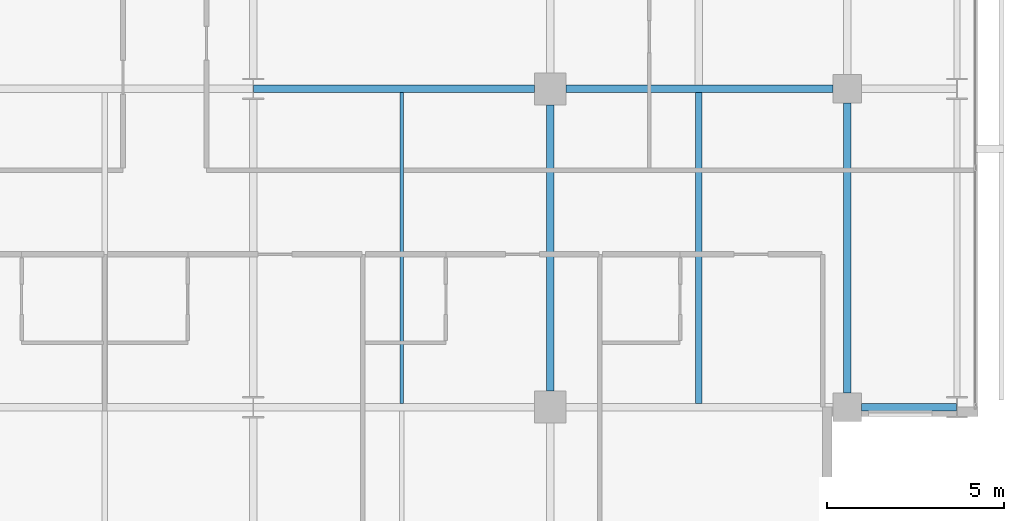
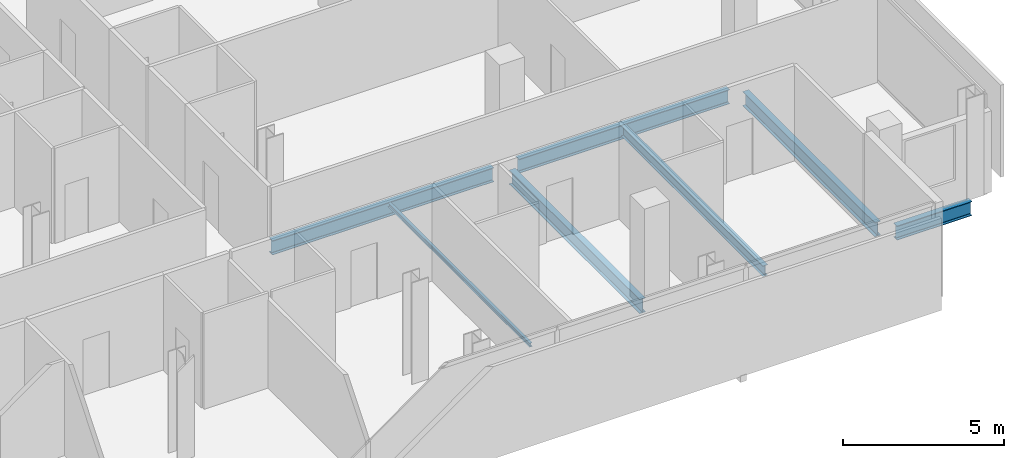
# One storey, part 14 of 33: 7 beams.
"""IFC4 building model written with IfcOpenShell, lengths in metres."""

from ifc_helpers import new_model, si_unit, direction, frame, origin, origin_2d, place, context, subcontext, project, spatial, i_section, extrude, material, material_profile, profile_set, type_object, element, save


model = new_model("IFC4")

# Units and contexts
model_context = context("Model", 3, precision=1e-05, world=origin(), true_north=direction((0.0, 1.0)))
body_context = subcontext(model_context, "Body", "Model", "MODEL_VIEW")
ifc_project = project(units=[si_unit("LENGTHUNIT", "METRE"), si_unit("AREAUNIT", "SQUARE_METRE"), si_unit("VOLUMEUNIT", "CUBIC_METRE"), si_unit("PLANEANGLEUNIT", "RADIAN"), si_unit("MASSUNIT", "GRAM", prefix="KILO")], contexts=[model_context])

# Site, building, storey
site_placement = place(None, origin())
site = spatial("IfcSite", under=ifc_project, at=site_placement, CompositionType="ELEMENT")
building_placement = place(site_placement, origin())
building = spatial("IfcBuilding", under=site, at=building_placement, Name="Maruvema Waterfront Hotel and Observation Tower", CompositionType="ELEMENT")
storey_placement = place(building_placement, frame((0.0, 0.0, 200.550048828125)))
storey = spatial("IfcBuildingStorey", under=building, at=storey_placement, Name="L49", CompositionType="ELEMENT", Elevation=200.550048828125)

# Beams
ifc_material_1 = material(Name="Steel ASTM A572 Grade 50", Category="steel")
ifc_material_profile_1 = material_profile(ifc_material_1, i_section(OverallWidth=0.2109375, OverallDepth=0.5390625, WebThickness=0.01171875, FlangeThickness=0.018798828125, FilletRadius=0.014892578125, at=origin_2d()), Name="W530x109.0")
ifc_profile_set_1 = profile_set([ifc_material_profile_1], Name="Steel ASTM A572 Grade 50")
beam_type_1 = type_object("IfcBeamType", Name="Primary Floor Girder W530x109.0", PredefinedType="BEAM", material=ifc_profile_set_1)
beam_1_placement = place(storey_placement, frame((59.199951171875, 9.0, -0.509521484375), z_axis=(1.0, 0.0, 0.0), x_axis=(0.0, 1.0, 0.0)))
element("IfcBeam", 1, at=beam_1_placement, inside=storey, type_object=beam_type_1, Name="L49 Floor Girder EW-10", PredefinedType="BEAM", context=body_context, shape_type="SweptSolid", body=[
    extrude(i_section(OverallWidth=0.2109375, OverallDepth=0.5390625, WebThickness=0.01171875, FlangeThickness=0.018798828125, FilletRadius=0.014892578125, at=origin_2d()), origin(), (0.0, 0.0, 1.0), 2.6875),
])
beam_2_placement = place(storey_placement, frame((42.012451171875, 18.0, -0.509521484375), z_axis=(1.0, 0.0, 0.0), x_axis=(0.0, 1.0, 0.0)))
element("IfcBeam", 2, at=beam_2_placement, inside=storey, type_object=beam_type_1, Name="L49 Floor Girder EW-15", PredefinedType="BEAM", context=body_context, shape_type="SweptSolid", body=[
    extrude(i_section(OverallWidth=0.2109375, OverallDepth=0.5390625, WebThickness=0.01171875, FlangeThickness=0.018798828125, FilletRadius=0.014892578125, at=origin_2d()), origin(), (0.0, 0.0, 1.0), 7.9375),
])
beam_3_placement = place(storey_placement, frame((50.85009765625, 18.0, -0.509521484375), z_axis=(1.0, 0.0, 0.0), x_axis=(0.0, 1.0, 0.0)))
element("IfcBeam", 3, at=beam_3_placement, inside=storey, type_object=beam_type_1, Name="L49 Floor Girder EW-16", PredefinedType="BEAM", context=body_context, shape_type="SweptSolid", body=[
    extrude(i_section(OverallWidth=0.2109375, OverallDepth=0.5390625, WebThickness=0.01171875, FlangeThickness=0.018798828125, FilletRadius=0.014892578125, at=origin_2d()), origin(), (0.0, 0.0, 1.0), 7.5498046875),
])
beam_4_placement = place(storey_placement, frame((50.39990234375, 9.449951171875, -0.509521484375), z_axis=(0.0, 1.0, 0.0), x_axis=(-1.0, 0.0, 0.0)))
element("IfcBeam", 4, at=beam_4_placement, inside=storey, type_object=beam_type_1, Name="L49 Floor Girder NS-21", PredefinedType="BEAM", context=body_context, shape_type="SweptSolid", body=[
    extrude(i_section(OverallWidth=0.2109375, OverallDepth=0.5390625, WebThickness=0.01171875, FlangeThickness=0.018798828125, FilletRadius=0.014892578125, at=origin_2d()), origin(), (0.0, 0.0, 1.0), 8.10009765625),
])
beam_5_placement = place(storey_placement, frame((58.800048828125, 9.39990234375, -0.509521484375), z_axis=(0.0, 1.0, 0.0), x_axis=(-1.0, 0.0, 0.0)))
element("IfcBeam", 5, at=beam_5_placement, inside=storey, type_object=beam_type_1, Name="L49 Floor Girder NS-25", PredefinedType="BEAM", context=body_context, shape_type="SweptSolid", body=[
    extrude(i_section(OverallWidth=0.2109375, OverallDepth=0.5390625, WebThickness=0.01171875, FlangeThickness=0.018798828125, FilletRadius=0.014892578125, at=origin_2d()), origin(), (0.0, 0.0, 1.0), 8.2001953125),
])
ifc_material_2 = material(Name="Steel ASTM A572 Grade 50", Category="steel")
ifc_material_profile_2 = material_profile(ifc_material_2, i_section(OverallWidth=0.10009765625, OverallDepth=0.153076171875, WebThickness=0.005859375, FlangeThickness=0.007080078125, FilletRadius=0.008056640625, at=origin_2d()), Name="W150x18.0")
ifc_profile_set_2 = profile_set([ifc_material_profile_2], Name="Steel ASTM A572 Grade 50")
beam_type_2 = type_object("IfcBeamType", Name="Secondary Floor Joist W150x18.0", PredefinedType="JOIST", material=ifc_profile_set_2)
beam_6_placement = place(storey_placement, frame((46.199951171875, 9.10546875, -0.316650390625), z_axis=(0.0, 1.0, 0.0), x_axis=(-1.0, 0.0, 0.0)))
element("IfcBeam", 6, at=beam_6_placement, inside=storey, type_object=beam_type_2, Name="L49 Secondary Floor Joist JS-10", PredefinedType="JOIST", context=body_context, shape_type="SweptSolid", body=[
    extrude(i_section(OverallWidth=0.10009765625, OverallDepth=0.153076171875, WebThickness=0.005859375, FlangeThickness=0.007080078125, FilletRadius=0.008056640625, at=origin_2d()), origin(), (0.0, 0.0, 1.0), 8.7890625),
])
ifc_material_3 = material(Name="Steel ASTM A572 Grade 50", Category="steel")
ifc_material_profile_3 = material_profile(ifc_material_3, i_section(OverallWidth=0.177001953125, OverallDepth=0.403076171875, WebThickness=0.007568359375, FlangeThickness=0.010986328125, FilletRadius=0.014892578125, at=origin_2d()), Name="W410x53.0")
ifc_profile_set_3 = profile_set([ifc_material_profile_3], Name="Steel ASTM A572 Grade 50")
beam_type_3 = type_object("IfcBeamType", Name="Secondary Floor Joist W410x53.0", PredefinedType="JOIST", material=ifc_profile_set_3)
beam_7_placement = place(storey_placement, frame((54.60009765625, 9.10546875, -0.441650390625), z_axis=(0.0, 1.0, 0.0), x_axis=(-1.0, 0.0, 0.0)))
element("IfcBeam", 7, at=beam_7_placement, inside=storey, type_object=beam_type_3, Name="L49 Secondary Floor Joist JS-11", PredefinedType="JOIST", context=body_context, shape_type="SweptSolid", body=[
    extrude(i_section(OverallWidth=0.177001953125, OverallDepth=0.403076171875, WebThickness=0.007568359375, FlangeThickness=0.010986328125, FilletRadius=0.014892578125, at=origin_2d()), origin(), (0.0, 0.0, 1.0), 8.7890625),
])

save(model, "model.ifc")
